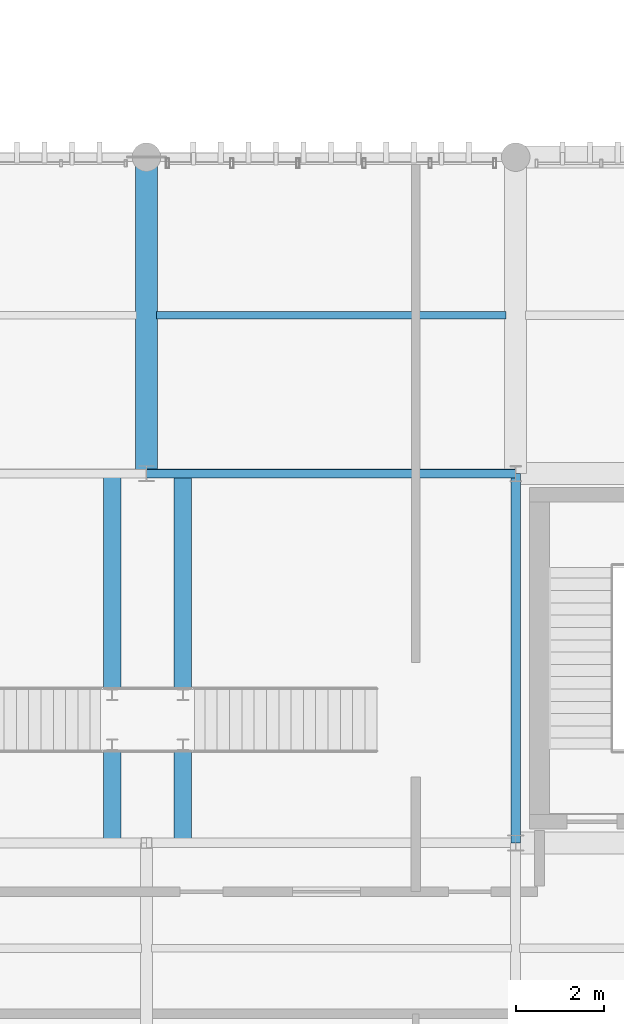
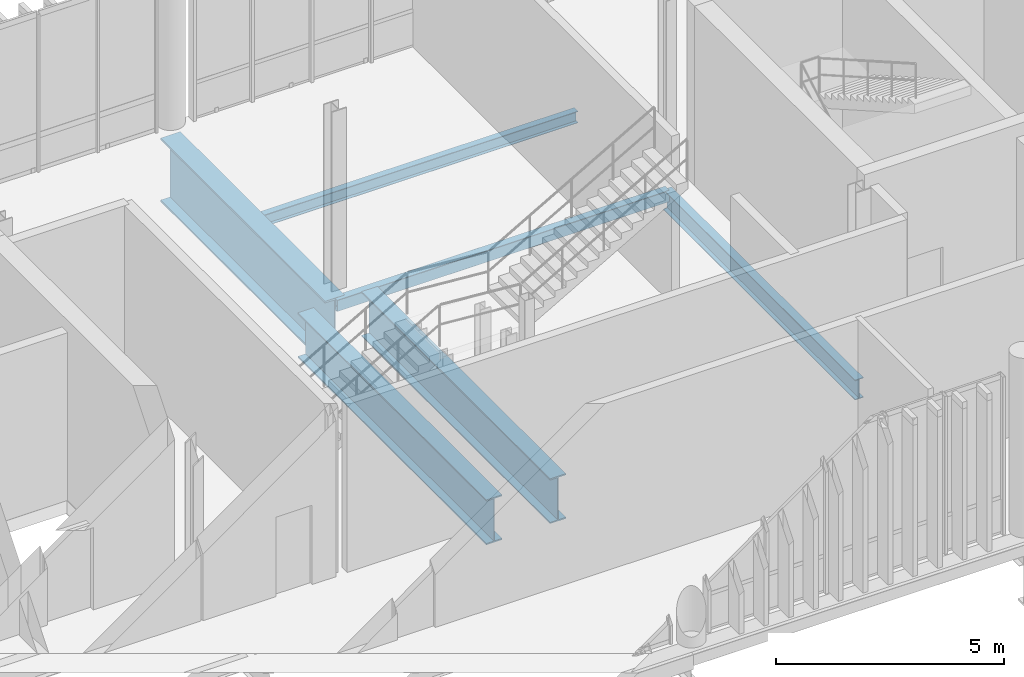
# One storey, part 35 of 86: 6 beams.
"""IFC4 building model written with IfcOpenShell, lengths in metres."""

import ifcopenshell
import ifcopenshell.guid

model = None  # the IFC model being written
_history = None  # IfcOwnerHistory: only IFC2X3 demands one
_inside = {}  # id of a spatial element -> (the spatial element, [elements in it])
_under = {}  # id of a project, library or spatial element -> (it, [spatial elements below it])
_declared = {}  # id of a project -> (the project, [libraries it declares])
_typed = {}  # id of a type object -> (the type object, [elements of that type])
_made_of = {}  # id of a material, layer set ... -> (it, [elements and type objects made of it])


def new_model(schema):
    """Start an empty IFC model of exactly this schema.

    Asked for "IFC4X3", IfcOpenShell would pick the latest addendum, in which some entities
    have other attributes; the version numbers below select the first issue.
    IFC2X3 requires an IfcOwnerHistory on every rooted entity: one is made here for all.
    """
    global model, _history
    if schema == "IFC4X3":
        model = ifcopenshell.file(schema_version=(4, 3, 0, 0))
    else:
        model = ifcopenshell.file(schema=schema)
    _inside.clear()
    _under.clear()
    _declared.clear()
    _typed.clear()
    _made_of.clear()
    _history = None
    if model.schema == "IFC2X3":
        org = make("IfcOrganization", Name="unknown")
        user = make(
            "IfcPersonAndOrganization",
            ThePerson=make("IfcPerson", FamilyName="unknown"),
            TheOrganization=org,
        )
        app = make(
            "IfcApplication",
            ApplicationDeveloper=org,
            Version="unknown",
            ApplicationFullName="unknown",
            ApplicationIdentifier="unknown",
        )
        _history = make(
            "IfcOwnerHistory",
            OwningUser=user,
            OwningApplication=app,
            ChangeAction="ADDED",
            CreationDate=0,
        )
    return model


def make(cls, **values):
    """One entity of the class cls with the attributes given. An attribute that is None is left unset."""
    return model.create_entity(
        cls, **{name: value for name, value in values.items() if value is not None}
    )


def rooted(cls, **values):
    """An entity with a GlobalId (a new one), such as an element, a storey or a relation."""
    return make(cls, GlobalId=ifcopenshell.guid.new(), OwnerHistory=_history, **values)


def si_unit(unit_type, name, prefix=None):
    """IfcSIUnit, for example si_unit("LENGTHUNIT", "METRE", prefix="MILLI")."""
    return make("IfcSIUnit", UnitType=unit_type, Prefix=prefix, Name=name)


def assignment(units):
    """IfcUnitAssignment: the units of a project."""
    return None if units is None else make("IfcUnitAssignment", Units=units)


def point(xyz):
    """IfcCartesianPoint."""
    return None if xyz is None else make("IfcCartesianPoint", Coordinates=xyz)


def direction(xyz):
    """IfcDirection."""
    return None if xyz is None else make("IfcDirection", DirectionRatios=xyz)


def frame(location, z_axis=None, x_axis=None):
    """IfcAxis2Placement3D, a coordinate frame: its origin and axes. An axis left out is left unset."""
    return make(
        "IfcAxis2Placement3D",
        Location=point(location),
        Axis=direction(z_axis),
        RefDirection=direction(x_axis),
    )


def frame_2d(location, x_axis=None):
    """IfcAxis2Placement2D, a coordinate frame in the plane: its origin and x axis."""
    return make(
        "IfcAxis2Placement2D", Location=point(location), RefDirection=direction(x_axis)
    )


def origin_with_axes():
    """The frame at (0, 0, 0) with the z axis (0, 0, 1) and the x axis (1, 0, 0) written out."""
    return frame((0.0, 0.0, 0.0), z_axis=(0.0, 0.0, 1.0), x_axis=(1.0, 0.0, 0.0))


def origin_2d_with_axis():
    """The frame at (0, 0) in the plane with the x axis (1, 0) written out."""
    return frame_2d((0.0, 0.0), x_axis=(1.0, 0.0))


def place(relative_to, where):
    """IfcLocalPlacement: puts the frame where relative to a parent placement (None: the world)."""
    return make(
        "IfcLocalPlacement", PlacementRelTo=relative_to, RelativePlacement=where
    )


def context(
    kind, dimensions, precision=None, world=None, true_north=None, identifier=None
):
    """IfcGeometricRepresentationContext, for example the 3D "Model" context."""
    return make(
        "IfcGeometricRepresentationContext",
        ContextIdentifier=identifier,
        ContextType=kind,
        CoordinateSpaceDimension=dimensions,
        Precision=precision,
        WorldCoordinateSystem=world,
        TrueNorth=true_north,
    )


def subcontext(parent, identifier, kind, view, scale=None):
    """IfcGeometricRepresentationSubContext, for example "Body" below "Model"."""
    return make(
        "IfcGeometricRepresentationSubContext",
        ContextIdentifier=identifier,
        ContextType=kind,
        ParentContext=parent,
        TargetScale=scale,
        TargetView=view,
    )


def project(units=None, contexts=None):
    """IfcProject with its units and contexts."""
    return rooted(
        "IfcProject",
        Name="project",
        RepresentationContexts=contexts,
        UnitsInContext=assignment(units),
    )


def spatial(cls, under=None, at=None, **own):
    """A site, building, storey or space (cls), placed at a placement, below another one or the project."""
    s = rooted(cls, ObjectPlacement=at, **own)
    if under is not None:
        _under.setdefault(under.id(), (under, []))[1].append(s)
    return s


def profile(cls, at=None, kind="AREA", **sizes):
    """A parametric profile (cls). Its sizes go by their IFC names, for example OverallWidth=200.0."""
    return make(cls, ProfileType=kind, Position=at, **sizes)


def hollow_rectangle(**sizes):
    """IfcRectangleHollowProfileDef."""
    return profile("IfcRectangleHollowProfileDef", **sizes)


def i_section(**sizes):
    """IfcIShapeProfileDef."""
    return profile("IfcIShapeProfileDef", **sizes)


def extrude(swept, where, along, depth):
    """IfcExtrudedAreaSolid: the profile swept, set in the frame where, extruded along a direction by depth."""
    return make(
        "IfcExtrudedAreaSolid",
        SweptArea=swept,
        Position=where,
        ExtrudedDirection=direction(along),
        Depth=depth,
    )


def shape(context_of_items, identifier, shape_type, items):
    """IfcShapeRepresentation: the items that make up one representation, for example the "Body"."""
    return make(
        "IfcShapeRepresentation",
        ContextOfItems=context_of_items,
        RepresentationIdentifier=identifier,
        RepresentationType=shape_type,
        Items=items,
    )


def material(Name=None, Category=None):
    """IfcMaterial."""
    return make("IfcMaterial", Name=Name, Category=Category)


def material_profile(
    of_material, cross_section, Name=None, Category=None, Priority=None
):
    """IfcMaterialProfile: a cross section and its material."""
    return make(
        "IfcMaterialProfile",
        Name=Name,
        Material=of_material,
        Profile=cross_section,
        Priority=Priority,
        Category=Category,
    )


def profile_set(profiles, Name=None, composite=None):
    """IfcMaterialProfileSet."""
    return make(
        "IfcMaterialProfileSet",
        Name=Name,
        MaterialProfiles=profiles,
        CompositeProfile=composite,
    )


def made_of(thing, what):
    """Note that an element or type object is made of a material, layer set ...; save() writes the relation."""
    if what is not None:
        _made_of.setdefault(what.id(), (what, []))[1].append(thing)
    return thing


def type_object(cls, material=None, **own):
    """A type object (cls), such as IfcWallType, which elements share."""
    return made_of(rooted(cls, **own), material)


def element(
    cls,
    number,
    at=None,
    inside=None,
    cuts=None,
    type_object=None,
    material=None,
    context=None,
    identifier="Body",
    shape_type=None,
    held_by="IfcProductDefinitionShape",
    body=None,
    shapes=None,
    **own,
):
    """One element of the class cls, such as IfcWall. Its Tag is "e" and its number.

    at: its placement. inside: the storey or other place that contains it. cuts: it is an
    opening in that element (IfcRelVoidsElement). A single representation is given by context,
    identifier, shape_type and body (its items); several are given by shapes. held_by: the class
    of the entity that holds the representations. save() writes the other relations.
    """
    e = rooted(cls, Tag="e%d" % number, ObjectPlacement=at, **own)
    if body is not None:
        shapes = [shape(context, identifier, shape_type, body)]
    if shapes is not None:
        e.Representation = make(held_by, Representations=shapes)
    if inside is not None:
        _inside.setdefault(inside.id(), (inside, []))[1].append(e)
    if cuts is not None:
        rooted(
            "IfcRelVoidsElement", RelatingBuildingElement=cuts, RelatedOpeningElement=e
        )
    if type_object is not None:
        _typed.setdefault(type_object.id(), (type_object, []))[1].append(e)
    return made_of(e, material)


def aggregate(whole, parts):
    """IfcRelAggregates: a whole, such as a stair, and the parts it consists of."""
    return rooted("IfcRelAggregates", RelatingObject=whole, RelatedObjects=parts)


def save(model, path):
    """Write the relations noted so far, then the file.

    IfcRelAggregates (storeys below a building ...), IfcRelContainedInSpatialStructure (elements
    in a storey), IfcRelDefinesByType, IfcRelAssociatesMaterial and IfcRelDeclares: one each for
    every whole, place, type object, material and project.
    """
    for whole, parts in _under.values():
        aggregate(whole, parts)
    for where, things in _inside.values():
        rooted(
            "IfcRelContainedInSpatialStructure",
            RelatedElements=things,
            RelatingStructure=where,
        )
    for kind, things in _typed.values():
        rooted("IfcRelDefinesByType", RelatedObjects=things, RelatingType=kind)
    for what, things in _made_of.values():
        rooted("IfcRelAssociatesMaterial", RelatedObjects=things, RelatingMaterial=what)
    for by, libraries in _declared.values():
        rooted("IfcRelDeclares", RelatingContext=by, RelatedDefinitions=libraries)
    model.write(path)


model = new_model("IFC4")

# Units and contexts
model_context = context("Model", 3, precision=1e-05, world=origin_with_axes(), true_north=direction((0.0, 1.0)))
body_context = subcontext(model_context, "Body", "Model", "MODEL_VIEW")
ifc_project = project(units=[si_unit("LENGTHUNIT", "METRE"), si_unit("AREAUNIT", "SQUARE_METRE"), si_unit("VOLUMEUNIT", "CUBIC_METRE"), si_unit("PLANEANGLEUNIT", "RADIAN"), si_unit("MASSUNIT", "GRAM", prefix="KILO"), si_unit("THERMODYNAMICTEMPERATUREUNIT", "KELVIN")], contexts=[model_context])

# Site, building, storey
site_placement = place(None, origin_with_axes())
site = spatial("IfcSite", under=ifc_project, at=site_placement, CompositionType="ELEMENT")
building_placement = place(site_placement, origin_with_axes())
building = spatial("IfcBuilding", under=site, at=building_placement, Name="Montbau Bow Law Courts", CompositionType="ELEMENT")
storey_placement = place(building_placement, frame((0.0, 0.0, 29.7), z_axis=(0.0, 0.0, 1.0), x_axis=(1.0, 0.0, 0.0)))
storey = spatial("IfcBuildingStorey", under=building, at=storey_placement, Name="L06", CompositionType="ELEMENT", Elevation=29.7)

# Beams
ifc_material_1 = material(Name="Steel CSA G40.21 Grade 350W (350 MPa)", Category="steel")
ifc_material_profile_1 = material_profile(ifc_material_1, i_section(OverallWidth=0.21, OverallDepth=0.537, WebThickness=0.0109, FlangeThickness=0.0174, at=origin_2d_with_axis()), Name="W530X101", Category="Main", Priority=0)
ifc_profile_set_1 = profile_set([ifc_material_profile_1], Name="Steel CSA G40.21 Grade 350W (350 MPa)")
beam_type_1 = type_object("IfcBeamType", Name="B-FLR-06", PredefinedType="BEAM", material=ifc_profile_set_1)
beam_1_placement = place(None, frame((80.4, 46.2, 29.091), z_axis=(0.0, 1.0, 0.0), x_axis=(-1.0, 0.0, 0.0)))
element("IfcBeam", 1, at=beam_1_placement, inside=storey, type_object=beam_type_1, Name="BM-L06-S1011:bm2_1014", PredefinedType="BEAM", context=body_context, shape_type="SweptSolid", body=[
    extrude(i_section(OverallWidth=0.21, OverallDepth=0.537, WebThickness=0.0109, FlangeThickness=0.0174, at=origin_2d_with_axis()), origin_with_axes(), (0.0, 0.0, 1.0), 8.4),
])
ifc_material_profile_2 = material_profile(ifc_material_1, i_section(OverallWidth=0.166, OverallDepth=0.313, WebThickness=0.0066, FlangeThickness=0.0112, at=origin_2d_with_axis()), Name="W310X45", Category="Main", Priority=0)
ifc_profile_set_2 = profile_set([ifc_material_profile_2], Name="Steel CSA G40.21 Grade 350W (350 MPa)")
beam_type_2 = type_object("IfcBeamType", Name="B-JST-04", PredefinedType="JOIST", material=ifc_profile_set_2)
beam_2_placement = place(None, frame((72.226, 58.2, 29.203), z_axis=(1.0, 0.0, 0.0), x_axis=(0.0, 1.0, 0.0)))
element("IfcBeam", 2, at=beam_2_placement, inside=storey, type_object=beam_type_2, Name="JST-L06-S0519:jst2_0519", PredefinedType="JOIST", context=body_context, shape_type="SweptSolid", body=[
    extrude(i_section(OverallWidth=0.166, OverallDepth=0.313, WebThickness=0.0066, FlangeThickness=0.0112, at=origin_2d_with_axis()), origin_with_axes(), (0.0, 0.0, 1.0), 7.948),
])
ifc_material_2 = material(Name="Steel CSA G40.21 Grade 350WT (350 MPa)", Category="steel")
ifc_material_profile_3 = material_profile(ifc_material_2, hollow_rectangle(XDim=0.203, YDim=0.305, WallThickness=0.0127, InnerFilletRadius=0.0254, OuterFilletRadius=0.0127, at=origin_2d_with_axis()), Name="HSS305X203X13", Category="Main", Priority=0)
ifc_profile_set_3 = profile_set([ifc_material_profile_3], Name="Steel CSA G40.21 Grade 350WT (350 MPa)")
beam_type_3 = type_object("IfcBeamType", Name="B-SPN-02", PredefinedType="SPANDREL", material=ifc_profile_set_3)
beam_3_placement = place(None, frame((72.0, 54.6, 29.207), z_axis=(1.0, 0.0, 0.0), x_axis=(0.0, 1.0, 0.0)))
element("IfcBeam", 3, at=beam_3_placement, inside=storey, type_object=beam_type_3, Name="SPN-L06-S1004:bm2_1007", PredefinedType="SPANDREL", context=body_context, shape_type="SweptSolid", body=[
    extrude(hollow_rectangle(XDim=0.203, YDim=0.305, WallThickness=0.0127, InnerFilletRadius=0.0254, OuterFilletRadius=0.0127, at=origin_2d_with_axis()), origin_with_axes(), (0.0, 0.0, 1.0), 8.4),
])
ifc_material_profile_4 = material_profile(ifc_material_2, i_section(OverallWidth=0.5, OverallDepth=1.7, WebThickness=0.02, FlangeThickness=0.045, at=origin_2d_with_axis()), Name="WWF1700X480", Category="Main", Priority=0)
ifc_profile_set_4 = profile_set([ifc_material_profile_4], Name="Steel CSA G40.21 Grade 350WT (350 MPa)")
beam_type_4 = type_object("IfcBeamType", Name="B-TRG-02", PredefinedType="USERDEFINED", material=ifc_profile_set_4)
beam_4_placement = place(None, frame((72.0, 54.6, 28.51), z_axis=(0.0, 1.0, 0.0), x_axis=(-1.0, 0.0, 0.0)))
element("IfcBeam", 4, at=beam_4_placement, inside=storey, type_object=beam_type_4, Name="TRG-L06-S0072:bm2_0075", ObjectType="GIRDER", PredefinedType="USERDEFINED", context=body_context, shape_type="SweptSolid", body=[
    extrude(i_section(OverallWidth=0.5, OverallDepth=1.7, WebThickness=0.02, FlangeThickness=0.045, at=origin_2d_with_axis()), origin_with_axes(), (0.0, 0.0, 1.0), 7.2),
])
ifc_material_profile_5 = material_profile(ifc_material_1, i_section(OverallWidth=0.4, OverallDepth=1.2, WebThickness=0.016, FlangeThickness=0.035, at=origin_2d_with_axis()), Name="WWF1200X302", Category="Main", Priority=0)
ifc_profile_set_5 = profile_set([ifc_material_profile_5], Name="Steel CSA G40.21 Grade 350W (350 MPa)")
beam_type_5 = type_object("IfcBeamType", Name="B-TRG-05", PredefinedType="USERDEFINED", material=ifc_profile_set_5)
for number, where, z_axis, x_axis, name in (
    (5, (71.22, 46.275, 28.76), (0.0, 1.0, 0.0), (-1.0, 0.0, 0.0), "TRG-L06-S1812:bm2_1815"),
    (6, (72.83, 46.275, 28.76), (0.0, 1.0, 0.0), (-1.0, 0.0, 0.0), "TRG-L06-S1813:bm2_1816"),
):
    element("IfcBeam", number, at=place(None, frame(where, z_axis=z_axis, x_axis=x_axis)), inside=storey, type_object=beam_type_5, Name=name, ObjectType="GIRDER", PredefinedType="USERDEFINED", context=body_context, shape_type="SweptSolid", body=[
        extrude(i_section(OverallWidth=0.4, OverallDepth=1.2, WebThickness=0.016, FlangeThickness=0.035, at=origin_2d_with_axis()), origin_with_axes(), (0.0, 0.0, 1.0), 8.25),
    ])

save(model, "model.ifc")
